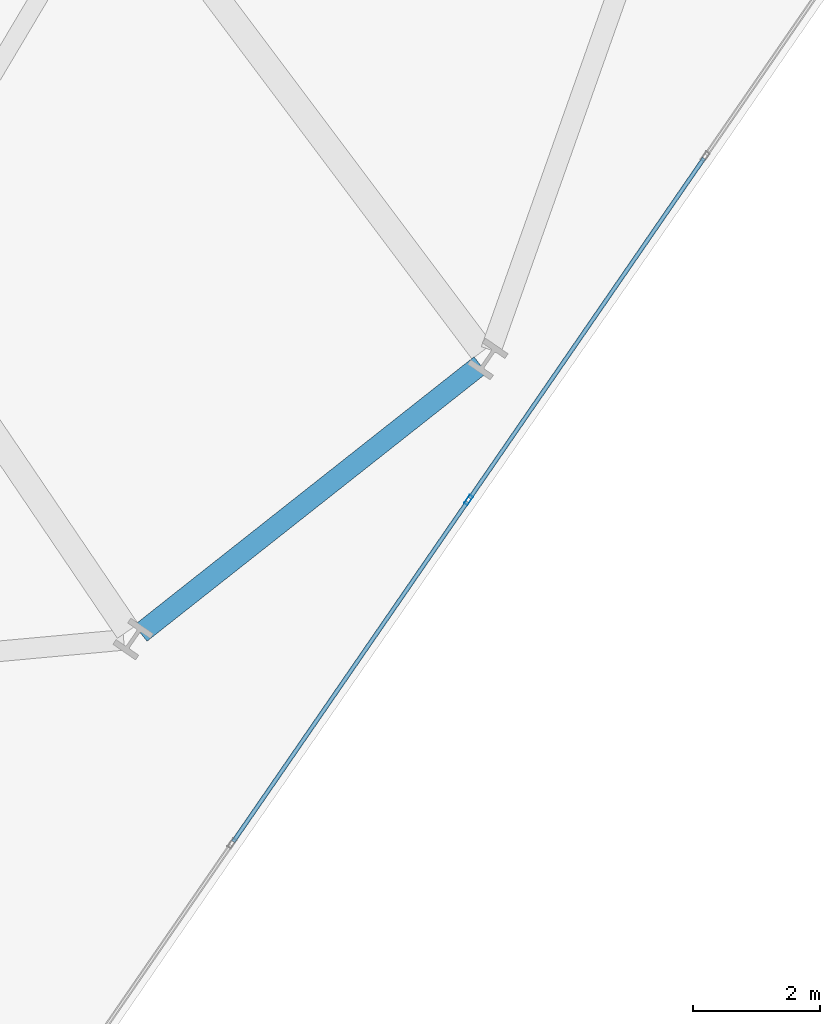
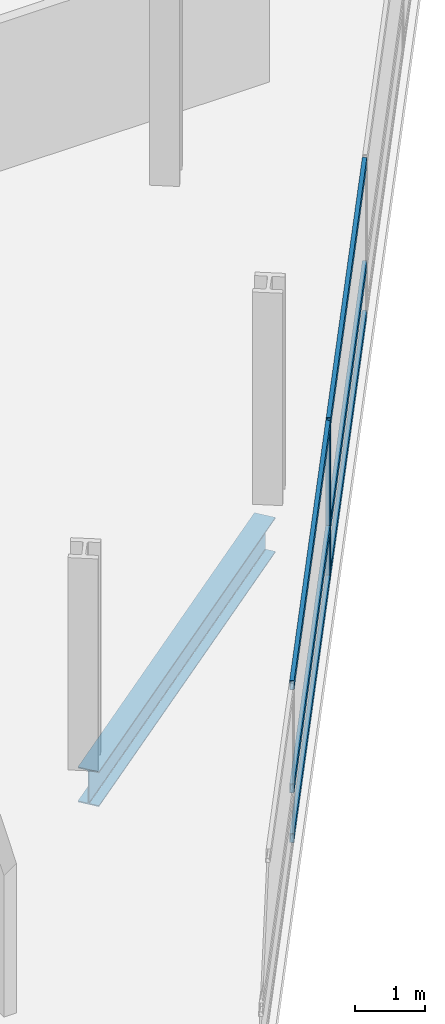
# One storey, part 7 of 24: 7 members, 1 beam, 1 element without a shape of its own.
"""IFC4 building model written with IfcOpenShell, lengths in metres."""

import ifcopenshell
import ifcopenshell.guid

model = None  # the IFC model being written
_history = None  # IfcOwnerHistory: only IFC2X3 demands one
_inside = {}  # id of a spatial element -> (the spatial element, [elements in it])
_under = {}  # id of a project, library or spatial element -> (it, [spatial elements below it])
_declared = {}  # id of a project -> (the project, [libraries it declares])
_typed = {}  # id of a type object -> (the type object, [elements of that type])
_made_of = {}  # id of a material, layer set ... -> (it, [elements and type objects made of it])


def new_model(schema):
    """Start an empty IFC model of exactly this schema.

    Asked for "IFC4X3", IfcOpenShell would pick the latest addendum, in which some entities
    have other attributes; the version numbers below select the first issue.
    IFC2X3 requires an IfcOwnerHistory on every rooted entity: one is made here for all.
    """
    global model, _history
    if schema == "IFC4X3":
        model = ifcopenshell.file(schema_version=(4, 3, 0, 0))
    else:
        model = ifcopenshell.file(schema=schema)
    _inside.clear()
    _under.clear()
    _declared.clear()
    _typed.clear()
    _made_of.clear()
    _history = None
    if model.schema == "IFC2X3":
        org = make("IfcOrganization", Name="unknown")
        user = make(
            "IfcPersonAndOrganization",
            ThePerson=make("IfcPerson", FamilyName="unknown"),
            TheOrganization=org,
        )
        app = make(
            "IfcApplication",
            ApplicationDeveloper=org,
            Version="unknown",
            ApplicationFullName="unknown",
            ApplicationIdentifier="unknown",
        )
        _history = make(
            "IfcOwnerHistory",
            OwningUser=user,
            OwningApplication=app,
            ChangeAction="ADDED",
            CreationDate=0,
        )
    return model


def make(cls, **values):
    """One entity of the class cls with the attributes given. An attribute that is None is left unset."""
    return model.create_entity(
        cls, **{name: value for name, value in values.items() if value is not None}
    )


def rooted(cls, **values):
    """An entity with a GlobalId (a new one), such as an element, a storey or a relation."""
    return make(cls, GlobalId=ifcopenshell.guid.new(), OwnerHistory=_history, **values)


def si_unit(unit_type, name, prefix=None):
    """IfcSIUnit, for example si_unit("LENGTHUNIT", "METRE", prefix="MILLI")."""
    return make("IfcSIUnit", UnitType=unit_type, Prefix=prefix, Name=name)


def assignment(units):
    """IfcUnitAssignment: the units of a project."""
    return None if units is None else make("IfcUnitAssignment", Units=units)


def point(xyz):
    """IfcCartesianPoint."""
    return None if xyz is None else make("IfcCartesianPoint", Coordinates=xyz)


def direction(xyz):
    """IfcDirection."""
    return None if xyz is None else make("IfcDirection", DirectionRatios=xyz)


def frame(location, z_axis=None, x_axis=None):
    """IfcAxis2Placement3D, a coordinate frame: its origin and axes. An axis left out is left unset."""
    return make(
        "IfcAxis2Placement3D",
        Location=point(location),
        Axis=direction(z_axis),
        RefDirection=direction(x_axis),
    )


def frame_2d(location, x_axis=None):
    """IfcAxis2Placement2D, a coordinate frame in the plane: its origin and x axis."""
    return make(
        "IfcAxis2Placement2D", Location=point(location), RefDirection=direction(x_axis)
    )


def origin():
    """The frame at (0, 0, 0) with its axes left unset."""
    return frame((0.0, 0.0, 0.0))


def origin_2d():
    """The frame at (0, 0) in the plane with its x axis left unset."""
    return frame_2d((0.0, 0.0))


def place(relative_to, where):
    """IfcLocalPlacement: puts the frame where relative to a parent placement (None: the world)."""
    return make(
        "IfcLocalPlacement", PlacementRelTo=relative_to, RelativePlacement=where
    )


def context(
    kind, dimensions, precision=None, world=None, true_north=None, identifier=None
):
    """IfcGeometricRepresentationContext, for example the 3D "Model" context."""
    return make(
        "IfcGeometricRepresentationContext",
        ContextIdentifier=identifier,
        ContextType=kind,
        CoordinateSpaceDimension=dimensions,
        Precision=precision,
        WorldCoordinateSystem=world,
        TrueNorth=true_north,
    )


def subcontext(parent, identifier, kind, view, scale=None):
    """IfcGeometricRepresentationSubContext, for example "Body" below "Model"."""
    return make(
        "IfcGeometricRepresentationSubContext",
        ContextIdentifier=identifier,
        ContextType=kind,
        ParentContext=parent,
        TargetScale=scale,
        TargetView=view,
    )


def project(units=None, contexts=None):
    """IfcProject with its units and contexts."""
    return rooted(
        "IfcProject",
        Name="project",
        RepresentationContexts=contexts,
        UnitsInContext=assignment(units),
    )


def spatial(cls, under=None, at=None, **own):
    """A site, building, storey or space (cls), placed at a placement, below another one or the project."""
    s = rooted(cls, ObjectPlacement=at, **own)
    if under is not None:
        _under.setdefault(under.id(), (under, []))[1].append(s)
    return s


def profile(cls, at=None, kind="AREA", **sizes):
    """A parametric profile (cls). Its sizes go by their IFC names, for example OverallWidth=200.0."""
    return make(cls, ProfileType=kind, Position=at, **sizes)


def hollow_rectangle(**sizes):
    """IfcRectangleHollowProfileDef."""
    return profile("IfcRectangleHollowProfileDef", **sizes)


def i_section(**sizes):
    """IfcIShapeProfileDef."""
    return profile("IfcIShapeProfileDef", **sizes)


def extrude(swept, where, along, depth):
    """IfcExtrudedAreaSolid: the profile swept, set in the frame where, extruded along a direction by depth."""
    return make(
        "IfcExtrudedAreaSolid",
        SweptArea=swept,
        Position=where,
        ExtrudedDirection=direction(along),
        Depth=depth,
    )


def shape(context_of_items, identifier, shape_type, items):
    """IfcShapeRepresentation: the items that make up one representation, for example the "Body"."""
    return make(
        "IfcShapeRepresentation",
        ContextOfItems=context_of_items,
        RepresentationIdentifier=identifier,
        RepresentationType=shape_type,
        Items=items,
    )


def material(Name=None, Category=None):
    """IfcMaterial."""
    return make("IfcMaterial", Name=Name, Category=Category)


def layer(
    of_material, thickness, ventilated=None, Name=None, Category=None, Priority=None
):
    """IfcMaterialLayer: one layer of a wall or slab, of a material (None: an air gap)."""
    return make(
        "IfcMaterialLayer",
        Material=of_material,
        LayerThickness=thickness,
        IsVentilated=ventilated,
        Name=Name,
        Category=Category,
        Priority=Priority,
    )


def layer_set(layers, Name=None):
    """IfcMaterialLayerSet."""
    return make("IfcMaterialLayerSet", MaterialLayers=layers, LayerSetName=Name)


def material_profile(
    of_material, cross_section, Name=None, Category=None, Priority=None
):
    """IfcMaterialProfile: a cross section and its material."""
    return make(
        "IfcMaterialProfile",
        Name=Name,
        Material=of_material,
        Profile=cross_section,
        Priority=Priority,
        Category=Category,
    )


def profile_set(profiles, Name=None, composite=None):
    """IfcMaterialProfileSet."""
    return make(
        "IfcMaterialProfileSet",
        Name=Name,
        MaterialProfiles=profiles,
        CompositeProfile=composite,
    )


def made_of(thing, what):
    """Note that an element or type object is made of a material, layer set ...; save() writes the relation."""
    if what is not None:
        _made_of.setdefault(what.id(), (what, []))[1].append(thing)
    return thing


def type_object(cls, material=None, **own):
    """A type object (cls), such as IfcWallType, which elements share."""
    return made_of(rooted(cls, **own), material)


def element(
    cls,
    number,
    at=None,
    inside=None,
    cuts=None,
    type_object=None,
    material=None,
    context=None,
    identifier="Body",
    shape_type=None,
    held_by="IfcProductDefinitionShape",
    body=None,
    shapes=None,
    **own,
):
    """One element of the class cls, such as IfcWall. Its Tag is "e" and its number.

    at: its placement. inside: the storey or other place that contains it. cuts: it is an
    opening in that element (IfcRelVoidsElement). A single representation is given by context,
    identifier, shape_type and body (its items); several are given by shapes. held_by: the class
    of the entity that holds the representations. save() writes the other relations.
    """
    e = rooted(cls, Tag="e%d" % number, ObjectPlacement=at, **own)
    if body is not None:
        shapes = [shape(context, identifier, shape_type, body)]
    if shapes is not None:
        e.Representation = make(held_by, Representations=shapes)
    if inside is not None:
        _inside.setdefault(inside.id(), (inside, []))[1].append(e)
    if cuts is not None:
        rooted(
            "IfcRelVoidsElement", RelatingBuildingElement=cuts, RelatedOpeningElement=e
        )
    if type_object is not None:
        _typed.setdefault(type_object.id(), (type_object, []))[1].append(e)
    return made_of(e, material)


def aggregate(whole, parts):
    """IfcRelAggregates: a whole, such as a stair, and the parts it consists of."""
    return rooted("IfcRelAggregates", RelatingObject=whole, RelatedObjects=parts)


def save(model, path):
    """Write the relations noted so far, then the file.

    IfcRelAggregates (storeys below a building ...), IfcRelContainedInSpatialStructure (elements
    in a storey), IfcRelDefinesByType, IfcRelAssociatesMaterial and IfcRelDeclares: one each for
    every whole, place, type object, material and project.
    """
    for whole, parts in _under.values():
        aggregate(whole, parts)
    for where, things in _inside.values():
        rooted(
            "IfcRelContainedInSpatialStructure",
            RelatedElements=things,
            RelatingStructure=where,
        )
    for kind, things in _typed.values():
        rooted("IfcRelDefinesByType", RelatedObjects=things, RelatingType=kind)
    for what, things in _made_of.values():
        rooted("IfcRelAssociatesMaterial", RelatedObjects=things, RelatingMaterial=what)
    for by, libraries in _declared.values():
        rooted("IfcRelDeclares", RelatingContext=by, RelatedDefinitions=libraries)
    model.write(path)


model = new_model("IFC4")

# Units and contexts
model_context = context("Model", 3, precision=1e-05, world=origin(), true_north=direction((0.0, 1.0)))
body_context = subcontext(model_context, "Body", "Model", "MODEL_VIEW")
ifc_project = project(units=[si_unit("LENGTHUNIT", "METRE"), si_unit("AREAUNIT", "SQUARE_METRE"), si_unit("VOLUMEUNIT", "CUBIC_METRE"), si_unit("PLANEANGLEUNIT", "RADIAN"), si_unit("MASSUNIT", "GRAM", prefix="KILO")], contexts=[model_context])

# Site, building, storey
site_placement = place(None, origin())
site = spatial("IfcSite", under=ifc_project, at=site_placement, CompositionType="ELEMENT")
building_placement = place(site_placement, origin())
building = spatial("IfcBuilding", under=site, at=building_placement, Name="Varnelok Gate Tower", CompositionType="ELEMENT")
storey_placement = place(building_placement, frame((0.0, 0.0, 38.10009765625)))
storey = spatial("IfcBuildingStorey", under=building, at=storey_placement, Name="L08", CompositionType="ELEMENT", Elevation=38.10009765625)

# Beam
ifc_material_1 = material(Name="Structural Steel ASTM A992 Grade 50", Category="steel")
ifc_material_profile_1 = material_profile(ifc_material_1, i_section(OverallWidth=0.323974609375, OverallDepth=0.611083984375, WebThickness=0.0126953125, FlangeThickness=0.01904296875, FilletRadius=0.01806640625, at=origin_2d()), Name="W24X104")
ifc_profile_set_1 = profile_set([ifc_material_profile_1], Name="Structural Steel ASTM A992 Grade 50")
beam_type = type_object("IfcBeamType", Name="BM-SPN-W24X104", PredefinedType="SPANDREL", material=ifc_profile_set_1)
beam_placement = place(storey_placement, frame((66.202392578125, 1.045654296875, -0.5556640625), z_axis=(0.784860761341, 0.619672159538, 0.0), x_axis=(-0.619672159538, 0.784860761341, 0.0)))
element("IfcBeam", 1, at=beam_placement, inside=storey, type_object=beam_type, Name="L08 Perimeter Spandrel Beam 6", PredefinedType="SPANDREL", context=body_context, shape_type="SweptSolid", body=[
    extrude(i_section(OverallWidth=0.323974609375, OverallDepth=0.611083984375, WebThickness=0.0126953125, FlangeThickness=0.01904296875, FilletRadius=0.01806640625, at=origin_2d()), origin(), (0.0, 0.0, 1.0), 6.81640625),
])

# Curtain wall, members
ifc_material_2 = material(Name="Anodized Aluminum Alloy 6063-T6", Category="aluminium")
ifc_layer = layer(ifc_material_2, 0.179931640625)
ifc_layer_set = layer_set([ifc_layer], Name="Anodized Aluminum Alloy 6063-T6")
curtain_wall_type = type_object("IfcCurtainWallType", Name="CW3-HOTEL-VISION", PredefinedType="USERDEFINED", material=ifc_layer_set)
curtain_wall_placement = place(storey_placement, origin())
curtain_wall = element("IfcCurtainWall", 2, at=curtain_wall_placement, inside=storey, type_object=curtain_wall_type, Name="L08 East End Vision Curtain Wall", ObjectType="UNITISED CURTAIN WALL", PredefinedType="USERDEFINED")
ifc_material_profile_2 = material_profile(ifc_material_2, hollow_rectangle(XDim=0.06494140625, YDim=0.159912109375, WallThickness=0.00390625, at=origin_2d()), Name="ALU160X65X4")
ifc_profile_set_2 = profile_set([ifc_material_profile_2], Name="Anodized Aluminum Alloy 6063-T6")
member_type_1 = type_object("IfcMemberType", Name="CW-MULL-160", PredefinedType="MULLION", material=ifc_profile_set_2)
member_1_placement = place(storey_placement, frame((71.3671875, 3.142578125, 0.0), z_axis=(0.0, 0.0, 1.0), x_axis=(0.823532685111, -0.567268822124, 0.0)))
member_1 = element("IfcMember", 3, at=member_1_placement, type_object=member_type_1, Name="CW3 mullion 4", PredefinedType="MULLION", context=body_context, shape_type="SweptSolid", body=[
    extrude(hollow_rectangle(XDim=0.06494140625, YDim=0.159912109375, WallThickness=0.00390625, at=origin_2d()), origin(), (0.0, 0.0, 1.0), 2.72998046875),
])
ifc_material_profile_3 = material_profile(ifc_material_2, hollow_rectangle(XDim=0.06494140625, YDim=0.159912109375, WallThickness=0.00390625, at=origin_2d()), Name="ALU160X65X4")
ifc_profile_set_3 = profile_set([ifc_material_profile_3], Name="Anodized Aluminum Alloy 6063-T6")
member_type_2 = type_object("IfcMemberType", Name="CW-TRAN-160", PredefinedType="USERDEFINED", material=ifc_profile_set_3)
member_2_placement = place(storey_placement, frame((75.07373046875, 8.523681640625, 0.032470703125), z_axis=(-0.56723619486, -0.82355515859, 0.0), x_axis=(0.82355515859, -0.56723619486, 0.0)))
member_2 = element("IfcMember", 4, at=member_2_placement, type_object=member_type_2, Name="CW3 transom 3.1", ObjectType="TRANSOM", PredefinedType="USERDEFINED", context=body_context, shape_type="SweptSolid", body=[
    extrude(hollow_rectangle(XDim=0.06494140625, YDim=0.159912109375, WallThickness=0.00390625, at=origin_2d()), origin(), (0.0, 0.0, 1.0), 6.501708984375),
])
member_3_placement = place(storey_placement, frame((75.07373046875, 8.523681640625, 0.89990234375), z_axis=(-0.56723619486, -0.82355515859, 0.0), x_axis=(0.82355515859, -0.56723619486, 0.0)))
member_3 = element("IfcMember", 5, at=member_3_placement, type_object=member_type_2, Name="CW3 transom 3.2", ObjectType="TRANSOM", PredefinedType="USERDEFINED", context=body_context, shape_type="SweptSolid", body=[
    extrude(hollow_rectangle(XDim=0.06494140625, YDim=0.159912109375, WallThickness=0.00390625, at=origin_2d()), origin(), (0.0, 0.0, 1.0), 6.501708984375),
])
member_4_placement = place(storey_placement, frame((75.07373046875, 8.523681640625, 2.697509765625), z_axis=(-0.56723619486, -0.82355515859, 0.0), x_axis=(0.82355515859, -0.56723619486, 0.0)))
member_4 = element("IfcMember", 6, at=member_4_placement, type_object=member_type_2, Name="CW3 transom 3.3", ObjectType="TRANSOM", PredefinedType="USERDEFINED", context=body_context, shape_type="SweptSolid", body=[
    extrude(hollow_rectangle(XDim=0.06494140625, YDim=0.159912109375, WallThickness=0.00390625, at=origin_2d()), origin(), (0.0, 0.0, 1.0), 6.501708984375),
])
member_5_placement = place(storey_placement, frame((71.348876953125, 3.11572265625, 0.032470703125), z_axis=(-0.567279204469, -0.823525533409, 0.0), x_axis=(0.823525533409, -0.567279204469, 0.0)))
member_5 = element("IfcMember", 7, at=member_5_placement, type_object=member_type_2, Name="CW3 transom 4.1", ObjectType="TRANSOM", PredefinedType="USERDEFINED", context=body_context, shape_type="SweptSolid", body=[
    extrude(hollow_rectangle(XDim=0.06494140625, YDim=0.159912109375, WallThickness=0.00390625, at=origin_2d()), origin(), (0.0, 0.0, 1.0), 6.501708984375),
])
member_6_placement = place(storey_placement, frame((71.348876953125, 3.11572265625, 0.89990234375), z_axis=(-0.567279204469, -0.823525533409, 0.0), x_axis=(0.823525533409, -0.567279204469, 0.0)))
member_6 = element("IfcMember", 8, at=member_6_placement, type_object=member_type_2, Name="CW3 transom 4.2", ObjectType="TRANSOM", PredefinedType="USERDEFINED", context=body_context, shape_type="SweptSolid", body=[
    extrude(hollow_rectangle(XDim=0.06494140625, YDim=0.159912109375, WallThickness=0.00390625, at=origin_2d()), origin(), (0.0, 0.0, 1.0), 6.501708984375),
])
member_7_placement = place(storey_placement, frame((71.348876953125, 3.11572265625, 2.697509765625), z_axis=(-0.567279204469, -0.823525533409, 0.0), x_axis=(0.823525533409, -0.567279204469, 0.0)))
member_7 = element("IfcMember", 9, at=member_7_placement, type_object=member_type_2, Name="CW3 transom 4.3", ObjectType="TRANSOM", PredefinedType="USERDEFINED", context=body_context, shape_type="SweptSolid", body=[
    extrude(hollow_rectangle(XDim=0.06494140625, YDim=0.159912109375, WallThickness=0.00390625, at=origin_2d()), origin(), (0.0, 0.0, 1.0), 6.501708984375),
])
aggregate(curtain_wall, [member_1, member_2, member_3, member_4, member_5, member_6, member_7])

save(model, "model.ifc")
